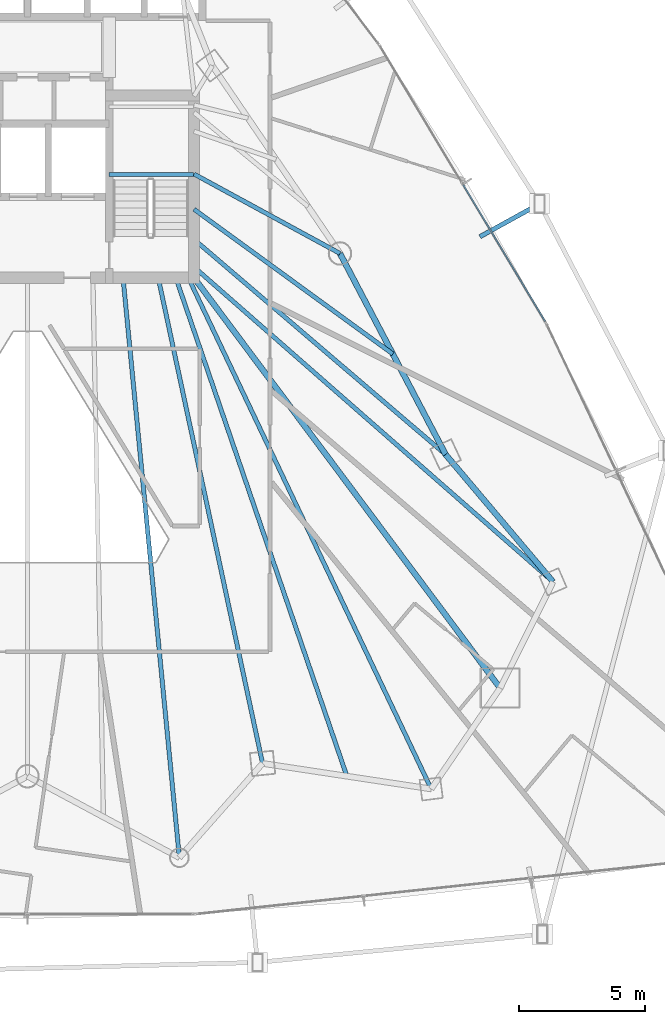
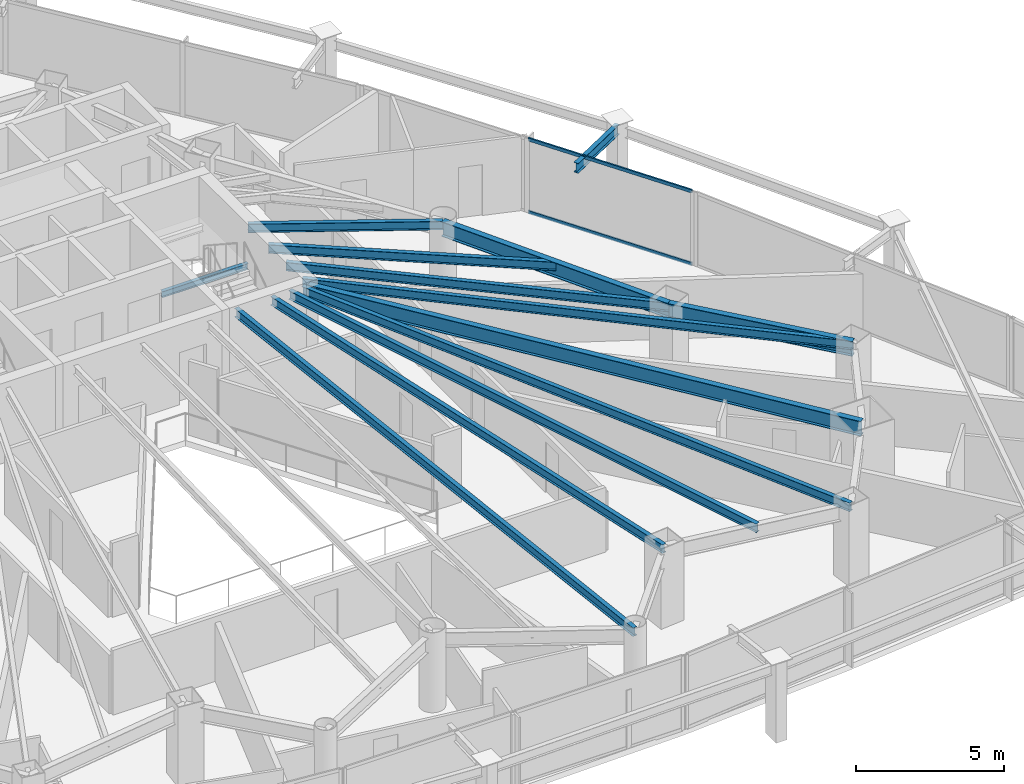
# One storey, part 17 of 35: 13 beams, 2 members, 1 element without a shape of its own.
"""IFC4 building model written with IfcOpenShell, lengths in metres."""

from ifc_helpers import new_model, si_unit, direction, frame, origin, origin_2d, place, context, subcontext, project, spatial, hollow_rectangle, i_section, extrude, material, layer, layer_set, material_profile, profile_set, type_object, element, aggregate, save


model = new_model("IFC4")

# Units and contexts
model_context = context("Model", 3, precision=1e-05, world=origin(), true_north=direction((0.0, 1.0)))
body_context = subcontext(model_context, "Body", "Model", "MODEL_VIEW")
ifc_project = project(units=[si_unit("LENGTHUNIT", "METRE"), si_unit("AREAUNIT", "SQUARE_METRE"), si_unit("VOLUMEUNIT", "CUBIC_METRE"), si_unit("PLANEANGLEUNIT", "RADIAN"), si_unit("MASSUNIT", "GRAM", prefix="KILO")], contexts=[model_context])

# Site, building, storey
site_placement = place(None, origin())
site = spatial("IfcSite", under=ifc_project, at=site_placement, CompositionType="ELEMENT")
building_placement = place(site_placement, origin())
building = spatial("IfcBuilding", under=site, at=building_placement, Name="Orvanel Arch Residences", CompositionType="ELEMENT")
storey_placement = place(building_placement, frame((0.0, 0.0, 40.10009765625)))
storey = spatial("IfcBuildingStorey", under=building, at=storey_placement, Name="L10", CompositionType="ELEMENT", Elevation=40.10009765625)

# Beams
ifc_material_1 = material(Name="Structural steel AS/NZS 3679.1 Grade 300 (300 MPa)", Category="steel")
ifc_material_profile_1 = material_profile(ifc_material_1, i_section(OverallWidth=0.22900390625, OverallDepth=0.612060546875, WebThickness=0.011962890625, FlangeThickness=0.01953125, at=origin_2d()), Name="610UB125")
ifc_profile_set_1 = profile_set([ifc_material_profile_1], Name="Structural steel AS/NZS 3679.1 Grade 300 (300 MPa)")
beam_type_1 = type_object("IfcBeamType", Name="BG-610UB", PredefinedType="BEAM", material=ifc_profile_set_1)
beam_1_placement = place(storey_placement, frame((39.625, 26.675048828125, 2.75390625), z_axis=(0.597893733742, -0.801575375839, 0.0), x_axis=(0.801575375839, 0.597893733742, 0.0)))
element("IfcBeam", 1, at=beam_1_placement, inside=storey, type_object=beam_type_1, Name="L10 South-East Radial Girder", PredefinedType="BEAM", context=body_context, shape_type="SweptSolid", body=[
    extrude(i_section(OverallWidth=0.22900390625, OverallDepth=0.612060546875, WebThickness=0.011962890625, FlangeThickness=0.01953125, at=origin_2d()), origin(), (0.0, 0.0, 1.0), 20.36474609375),
])
ifc_material_profile_2 = material_profile(ifc_material_1, i_section(OverallWidth=0.14599609375, OverallDepth=0.251953125, WebThickness=0.006103515625, FlangeThickness=0.008544921875, at=origin_2d()), Name="250UB31.4")
ifc_profile_set_2 = profile_set([ifc_material_profile_2], Name="Structural steel AS/NZS 3679.1 Grade 300 (300 MPa)")
beam_type_2 = type_object("IfcBeamType", Name="BJ-250UB", PredefinedType="JOIST", material=ifc_profile_set_2)
beam_2_placement = place(storey_placement, frame((36.25, 30.780029296875, 1.323974609375), z_axis=(1.0, 0.0, 0.0), x_axis=(0.0, 1.0, 0.0)))
element("IfcBeam", 2, at=beam_2_placement, inside=storey, type_object=beam_type_2, Name="L10 ST-2 Half-Landing Support Beam 1.1", PredefinedType="JOIST", context=body_context, shape_type="SweptSolid", body=[
    extrude(i_section(OverallWidth=0.14599609375, OverallDepth=0.251953125, WebThickness=0.006103515625, FlangeThickness=0.008544921875, at=origin_2d()), origin(), (0.0, 0.0, 1.0), 3.35009765625),
])
ifc_material_profile_3 = material_profile(ifc_material_1, i_section(OverallWidth=0.1708984375, OverallDepth=0.35595703125, WebThickness=0.00732421875, FlangeThickness=0.011474609375, at=origin_2d()), Name="360UB50.7")
ifc_profile_set_3 = profile_set([ifc_material_profile_3], Name="Structural steel AS/NZS 3679.1 Grade 300 (300 MPa)")
beam_type_3 = type_object("IfcBeamType", Name="BJ-360UB", PredefinedType="JOIST", material=ifc_profile_set_3)
beam_3_placement = place(storey_placement, frame((39.625, 30.800048828125, 2.8818359375), z_axis=(0.878399029914, -0.477927969726, 0.0), x_axis=(0.477927969726, 0.878399029914, 0.0)))
element("IfcBeam", 3, at=beam_3_placement, inside=storey, type_object=beam_type_3, Name="L10 NE Wing Floor Joist", PredefinedType="JOIST", context=body_context, shape_type="SweptSolid", body=[
    extrude(i_section(OverallWidth=0.1708984375, OverallDepth=0.35595703125, WebThickness=0.00732421875, FlangeThickness=0.011474609375, at=origin_2d()), origin(), (0.0, 0.0, 1.0), 6.609619140625),
])
beam_4_placement = place(storey_placement, frame((39.625, 28.199951171875, 2.8818359375), z_axis=(0.760024297953, -0.649894658018, 0.0), x_axis=(0.649894658018, 0.760024297953, 0.0)))
element("IfcBeam", 4, at=beam_4_placement, inside=storey, type_object=beam_type_3, Name="L10 E Wing Floor Joist", PredefinedType="JOIST", context=body_context, shape_type="SweptSolid", body=[
    extrude(i_section(OverallWidth=0.1708984375, OverallDepth=0.35595703125, WebThickness=0.00732421875, FlangeThickness=0.011474609375, at=origin_2d()), origin(), (0.0, 0.0, 1.0), 13.16796875),
])
beam_5_placement = place(storey_placement, frame((38.199951171875, 26.675048828125, 2.8818359375), z_axis=(0.210066515515, -0.977687096703, 0.0), x_axis=(0.977687096703, 0.210066515515, 0.0)))
element("IfcBeam", 5, at=beam_5_placement, inside=storey, type_object=beam_type_3, Name="L10 SE Wing Floor Joist", PredefinedType="JOIST", context=body_context, shape_type="SweptSolid", body=[
    extrude(i_section(OverallWidth=0.1708984375, OverallDepth=0.35595703125, WebThickness=0.00732421875, FlangeThickness=0.011474609375, at=origin_2d()), origin(), (0.0, 0.0, 1.0), 19.760986328125),
])
beam_6_placement = place(storey_placement, frame((39.625, 27.10009765625, 2.8818359375), z_axis=(0.751924114057, -0.659249669472, 0.0), x_axis=(0.659249669472, 0.751924114057, 0.0)))
element("IfcBeam", 6, at=beam_6_placement, inside=storey, type_object=beam_type_3, Name="L10 ME Wing Floor Joist", PredefinedType="JOIST", context=body_context, shape_type="SweptSolid", body=[
    extrude(i_section(OverallWidth=0.1708984375, OverallDepth=0.35595703125, WebThickness=0.00732421875, FlangeThickness=0.011474609375, at=origin_2d()), origin(), (0.0, 0.0, 1.0), 18.9912109375),
])
beam_7_placement = place(storey_placement, frame((39.39990234375, 26.675048828125, 2.8818359375), z_axis=(0.429042657795, -0.903284228686, 0.0), x_axis=(0.903284228686, 0.429042657795, 0.0)))
element("IfcBeam", 7, at=beam_7_placement, inside=storey, type_object=beam_type_3, Name="L10 MSE Wing Floor Joist", PredefinedType="JOIST", context=body_context, shape_type="SweptSolid", body=[
    extrude(i_section(OverallWidth=0.1708984375, OverallDepth=0.35595703125, WebThickness=0.00732421875, FlangeThickness=0.011474609375, at=origin_2d()), origin(), (0.0, 0.0, 1.0), 22.513427734375),
])
beam_8_placement = place(storey_placement, frame((36.800048828125, 26.675048828125, 2.8818359375), z_axis=(0.096724091756, -0.995311232768, 0.0), x_axis=(0.995311232768, 0.096724091756, 0.0)))
element("IfcBeam", 8, at=beam_8_placement, inside=storey, type_object=beam_type_3, Name="L10 LSE Wing Floor Joist", PredefinedType="JOIST", context=body_context, shape_type="SweptSolid", body=[
    extrude(i_section(OverallWidth=0.1708984375, OverallDepth=0.35595703125, WebThickness=0.00732421875, FlangeThickness=0.011474609375, at=origin_2d()), origin(), (0.0, 0.0, 1.0), 23.1787109375),
])
beam_9_placement = place(storey_placement, frame((39.625, 29.39990234375, 2.8818359375), z_axis=(0.808381909511, -0.588658380026, 0.0), x_axis=(0.588658380026, 0.808381909511, 0.0)))
element("IfcBeam", 9, at=beam_9_placement, inside=storey, type_object=beam_type_3, Name="L10 CTE Wing Floor Joist", PredefinedType="JOIST", context=body_context, shape_type="SweptSolid", body=[
    extrude(i_section(OverallWidth=0.1708984375, OverallDepth=0.35595703125, WebThickness=0.00732421875, FlangeThickness=0.011474609375, at=origin_2d()), origin(), (0.0, 0.0, 1.0), 9.78125),
])
beam_10_placement = place(storey_placement, frame((38.89990234375, 26.675048828125, 2.8818359375), z_axis=(0.324621456495, -0.945844019901, 0.0), x_axis=(0.945844019901, 0.324621456495, 0.0)))
element("IfcBeam", 10, at=beam_10_placement, inside=storey, type_object=beam_type_3, Name="L10 JADD2 Wing Floor Joist", PredefinedType="JOIST", context=body_context, shape_type="SweptSolid", body=[
    extrude(i_section(OverallWidth=0.1708984375, OverallDepth=0.35595703125, WebThickness=0.00732421875, FlangeThickness=0.011474609375, at=origin_2d()), origin(), (0.0, 0.0, 1.0), 20.96337890625),
])
ifc_material_profile_4 = material_profile(ifc_material_1, i_section(OverallWidth=0.177978515625, OverallDepth=0.406005859375, WebThickness=0.0078125, FlangeThickness=0.0126953125, at=origin_2d()), Name="410UB59.7")
ifc_profile_set_4 = profile_set([ifc_material_profile_4], Name="Structural steel AS/NZS 3679.1 Grade 300 (300 MPa)")
beam_type_4 = type_object("IfcBeamType", Name="OB-410UB-EXT", PredefinedType="SPANDREL", material=ifc_profile_set_4)
beam_11_placement = place(storey_placement, frame((51.0, 28.30810546875, 2.85693359375), z_axis=(0.875476427661, 0.483260824618, 0.0), x_axis=(-0.483260824618, 0.875476427661, 0.0)))
element("IfcBeam", 11, at=beam_11_placement, inside=storey, type_object=beam_type_4, Name="L10 Outer Frame Radial Tie Beam 10", PredefinedType="SPANDREL", context=body_context, shape_type="SweptSolid", body=[
    extrude(i_section(OverallWidth=0.177978515625, OverallDepth=0.406005859375, WebThickness=0.0078125, FlangeThickness=0.0126953125, at=origin_2d()), origin(), (0.0, 0.0, 1.0), 2.708251953125),
])
ifc_material_profile_5 = material_profile(ifc_material_1, i_section(OverallWidth=0.22900390625, OverallDepth=0.612060546875, WebThickness=0.011962890625, FlangeThickness=0.01953125, at=origin_2d()), Name="610UB125")
ifc_profile_set_5 = profile_set([ifc_material_profile_5], Name="Structural steel AS/NZS 3679.1 Grade 300 (300 MPa)")
beam_type_5 = type_object("IfcBeamType", Name="SP-610UB", PredefinedType="SPANDREL", material=ifc_profile_set_5)
beam_12_placement = place(storey_placement, frame((53.905029296875, 14.580078125, 2.75390625), z_axis=(-0.644950329775, 0.764224490659, 0.0), x_axis=(-0.764224490659, -0.644950329775, 0.0)))
element("IfcBeam", 12, at=beam_12_placement, inside=storey, type_object=beam_type_5, Name="L10 Perimeter Spandrel Beam 12", PredefinedType="SPANDREL", context=body_context, shape_type="SweptSolid", body=[
    extrude(i_section(OverallWidth=0.22900390625, OverallDepth=0.612060546875, WebThickness=0.011962890625, FlangeThickness=0.01953125, at=origin_2d()), origin(), (0.0, 0.0, 1.0), 6.623779296875),
])
beam_13_placement = place(storey_placement, frame((49.633056640625, 19.64208984375, 2.75390625), z_axis=(-0.465064762793, 0.885276660942, 0.0), x_axis=(-0.885276660942, -0.465064762793, 0.0)))
element("IfcBeam", 13, at=beam_13_placement, inside=storey, type_object=beam_type_5, Name="L10 Perimeter Spandrel Beam 13", PredefinedType="SPANDREL", context=body_context, shape_type="SweptSolid", body=[
    extrude(i_section(OverallWidth=0.22900390625, OverallDepth=0.612060546875, WebThickness=0.011962890625, FlangeThickness=0.01953125, at=origin_2d()), origin(), (0.0, 0.0, 1.0), 9.03564453125),
])

# Curtain wall, members
ifc_material_2 = material(Name="Bronze-anodised aluminium AA6063-T6", Category="aluminium")
ifc_layer = layer(ifc_material_2, 0.179931640625)
ifc_layer_set = layer_set([ifc_layer], Name="Bronze-anodised aluminium AA6063-T6")
curtain_wall_type = type_object("IfcCurtainWallType", Name="CW2-LOW-SYS", PredefinedType="NOTDEFINED", material=ifc_layer_set)
curtain_wall_placement = place(storey_placement, origin())
curtain_wall = element("IfcCurtainWall", 14, at=curtain_wall_placement, inside=storey, type_object=curtain_wall_type, Name="L10 CW2-LOW-SYS Unitised Curtain Wall", PredefinedType="NOTDEFINED")
ifc_material_profile_6 = material_profile(ifc_material_2, hollow_rectangle(XDim=0.06005859375, YDim=0.135009765625, WallThickness=0.00390625, at=origin_2d()), Name="ALU135x60x4")
ifc_profile_set_6 = profile_set([ifc_material_profile_6], Name="Bronze-anodised aluminium AA6063-T6")
member_type = type_object("IfcMemberType", Name="TRN-135x60", PredefinedType="USERDEFINED", material=ifc_profile_set_6)
member_1_placement = place(storey_placement, frame((53.592041015625, 24.93896484375, 0.02978515625), z_axis=(-0.514388099447, 0.857557510111, 0.0), x_axis=(-0.857557510111, -0.514388099447, 0.0)))
member_1 = element("IfcMember", 15, at=member_1_placement, type_object=member_type, Name="CW-S2 transom 1.1", ObjectType="TRANSOM", PredefinedType="USERDEFINED", context=body_context, shape_type="SweptSolid", body=[
    extrude(hollow_rectangle(XDim=0.06005859375, YDim=0.135009765625, WallThickness=0.00390625, at=origin_2d()), origin(), (0.0, 0.0, 1.0), 6.336669921875),
])
member_2_placement = place(storey_placement, frame((53.592041015625, 24.93896484375, 3.02978515625), z_axis=(-0.514388099447, 0.857557510111, 0.0), x_axis=(-0.857557510111, -0.514388099447, 0.0)))
member_2 = element("IfcMember", 16, at=member_2_placement, type_object=member_type, Name="CW-S2 transom 1.2", ObjectType="TRANSOM", PredefinedType="USERDEFINED", context=body_context, shape_type="SweptSolid", body=[
    extrude(hollow_rectangle(XDim=0.06005859375, YDim=0.135009765625, WallThickness=0.00390625, at=origin_2d()), origin(), (0.0, 0.0, 1.0), 6.336669921875),
])
aggregate(curtain_wall, [member_1, member_2])

save(model, "model.ifc")
